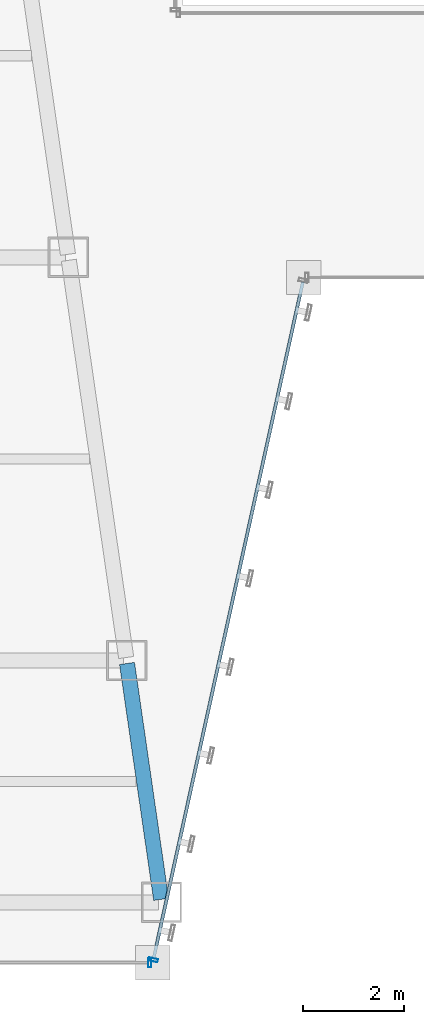
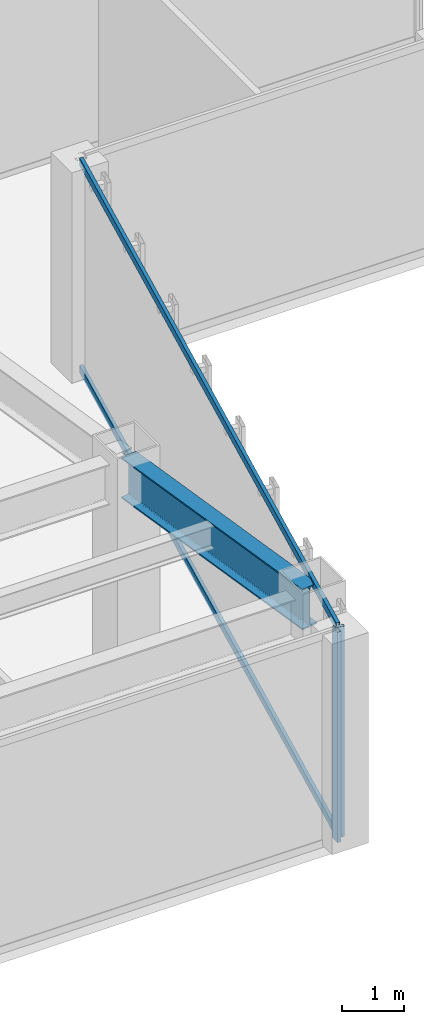
# One storey, part 7 of 47: 4 members, 1 beam, 2 elements without a shape of their own.
"""IFC4 building model written with IfcOpenShell, lengths in metres."""

from ifc_helpers import new_model, si_unit, direction, frame, origin, origin_2d, place, context, subcontext, project, spatial, hollow_rectangle, i_section, extrude, material, material_profile, profile_set, type_object, element, aggregate, save


model = new_model("IFC4")

# Units and contexts
model_context = context("Model", 3, precision=1e-05, world=origin(), true_north=direction((0.0, 1.0)))
body_context = subcontext(model_context, "Body", "Model", "MODEL_VIEW")
ifc_project = project(units=[si_unit("LENGTHUNIT", "METRE"), si_unit("AREAUNIT", "SQUARE_METRE"), si_unit("VOLUMEUNIT", "CUBIC_METRE"), si_unit("PLANEANGLEUNIT", "RADIAN"), si_unit("MASSUNIT", "GRAM", prefix="KILO")], contexts=[model_context])

# Site, building, storey
site_placement = place(None, origin())
site = spatial("IfcSite", under=ifc_project, at=site_placement, CompositionType="ELEMENT")
building_placement = place(site_placement, origin())
building = spatial("IfcBuilding", under=site, at=building_placement, Name="Saevonmaru Cultural Tower", CompositionType="ELEMENT")
storey_placement = place(building_placement, frame((0.0, 0.0, 51.60009765625)))
storey = spatial("IfcBuildingStorey", under=building, at=storey_placement, Name="L10", CompositionType="ELEMENT", Elevation=51.60009765625)

# Beam
ifc_material_1 = material(Name="Steel SM420", Category="steel")
ifc_material_profile_1 = material_profile(ifc_material_1, i_section(OverallWidth=0.300048828125, OverallDepth=0.800048828125, WebThickness=0.013916015625, FlangeThickness=0.02587890625, FilletRadius=0.028076171875, at=origin_2d()), Name="H-800x300x14x26")
ifc_profile_set_1 = profile_set([ifc_material_profile_1], Name="Steel SM420")
beam_type = type_object("IfcBeamType", Name="BM-G-H800", PredefinedType="BEAM", material=ifc_profile_set_1)
beam_placement = place(storey_placement, frame((23.768310546875, 3.259521484375, 3.75), z_axis=(-0.143083234893, 0.989710658674, 0.0), x_axis=(-0.989710658674, -0.143083234893, 0.0)))
element("IfcBeam", 1, at=beam_placement, inside=storey, type_object=beam_type, Name="L10 West Atrium Girder 1", PredefinedType="BEAM", context=body_context, shape_type="SweptSolid", body=[
    extrude(i_section(OverallWidth=0.300048828125, OverallDepth=0.800048828125, WebThickness=0.013916015625, FlangeThickness=0.02587890625, FilletRadius=0.028076171875, at=origin_2d()), origin(), (0.0, 0.0, 1.0), 4.729736328125),
])

# Curtain wall, member
ifc_material_2 = material(Name="Satin Bronze Anodised Aluminium", Category="aluminium")
curtain_wall_type = type_object("IfcCurtainWallType", Name="CW-TYP-A", PredefinedType="NOTDEFINED", material=ifc_material_2)
curtain_wall_1_placement = place(storey_placement, origin())
curtain_wall_1 = element("IfcCurtainWall", 2, at=curtain_wall_1_placement, inside=storey, type_object=curtain_wall_type, Name="L10 Unitised Curtain Wall E2", PredefinedType="NOTDEFINED")
ifc_material_profile_2 = material_profile(ifc_material_2, hollow_rectangle(XDim=0.06494140625, YDim=0.179931640625, WallThickness=0.00390625, at=origin_2d()), Name="ALU-MULL-180x65x4")
ifc_profile_set_2 = profile_set([ifc_material_profile_2], Name="Satin Bronze Anodised Aluminium")
member_type_1 = type_object("IfcMemberType", Name="ML-CW-180x65", PredefinedType="MULLION", material=ifc_profile_set_2)
member_1_placement = place(storey_placement, frame((23.5400390625, 2.0, 0.0), z_axis=(0.0, 0.0, 1.0), x_axis=(1.0, 0.0, 0.0)))
member_1 = element("IfcMember", 3, at=member_1_placement, type_object=member_type_1, Name="CW-TW-L10-E2 mullion 2", PredefinedType="MULLION", context=body_context, shape_type="SweptSolid", body=[
    extrude(hollow_rectangle(XDim=0.06494140625, YDim=0.179931640625, WallThickness=0.00390625, at=origin_2d()), origin(), (0.0, 0.0, 1.0), 4.14990234375),
])
aggregate(curtain_wall_1, [member_1])

# Curtain wall, members
curtain_wall_2_placement = place(storey_placement, origin())
curtain_wall_2 = element("IfcCurtainWall", 4, at=curtain_wall_2_placement, inside=storey, type_object=curtain_wall_type, Name="L10 Unitised Curtain Wall E3", PredefinedType="NOTDEFINED")
member_2_placement = place(storey_placement, frame((23.61279296875, 2.05859375, 0.0), z_axis=(0.0, 0.0, 1.0), x_axis=(0.215413319953, 0.976522965212, 0.0)))
member_2 = element("IfcMember", 5, at=member_2_placement, type_object=member_type_1, Name="CW-TW-L10-E3 mullion 1", PredefinedType="MULLION", context=body_context, shape_type="SweptSolid", body=[
    extrude(hollow_rectangle(XDim=0.06494140625, YDim=0.179931640625, WallThickness=0.00390625, at=origin_2d()), origin(), (0.0, 0.0, 1.0), 4.14990234375),
])
ifc_material_profile_3 = material_profile(ifc_material_2, hollow_rectangle(XDim=0.06494140625, YDim=0.14990234375, WallThickness=0.00390625, at=origin_2d()), Name="ALU-TRAN-150x65x4")
ifc_profile_set_3 = profile_set([ifc_material_profile_3], Name="Satin Bronze Anodised Aluminium")
member_type_2 = type_object("IfcMemberType", Name="TR-CW-150x65", PredefinedType="USERDEFINED", material=ifc_profile_set_3)
member_3_placement = place(storey_placement, frame((23.619873046875, 2.09033203125, 0.032470703125), z_axis=(0.21541214732, 0.976523223885, 0.0), x_axis=(-0.976523223885, 0.21541214732, 0.0)))
member_3 = element("IfcMember", 6, at=member_3_placement, type_object=member_type_2, Name="CW-TW-L10-E3 transom 1.1", ObjectType="TRANSOM", PredefinedType="USERDEFINED", context=body_context, shape_type="SweptSolid", body=[
    extrude(hollow_rectangle(XDim=0.06494140625, YDim=0.14990234375, WallThickness=0.00390625, at=origin_2d()), origin(), (0.0, 0.0, 1.0), 13.741943359375),
])
member_4_placement = place(storey_placement, frame((23.619873046875, 2.09033203125, 4.117431640625), z_axis=(0.21541214732, 0.976523223885, 0.0), x_axis=(-0.976523223885, 0.21541214732, 0.0)))
member_4 = element("IfcMember", 7, at=member_4_placement, type_object=member_type_2, Name="CW-TW-L10-E3 transom 1.2", ObjectType="TRANSOM", PredefinedType="USERDEFINED", context=body_context, shape_type="SweptSolid", body=[
    extrude(hollow_rectangle(XDim=0.06494140625, YDim=0.14990234375, WallThickness=0.00390625, at=origin_2d()), origin(), (0.0, 0.0, 1.0), 13.741943359375),
])
aggregate(curtain_wall_2, [member_2, member_3, member_4])

save(model, "model.ifc")
